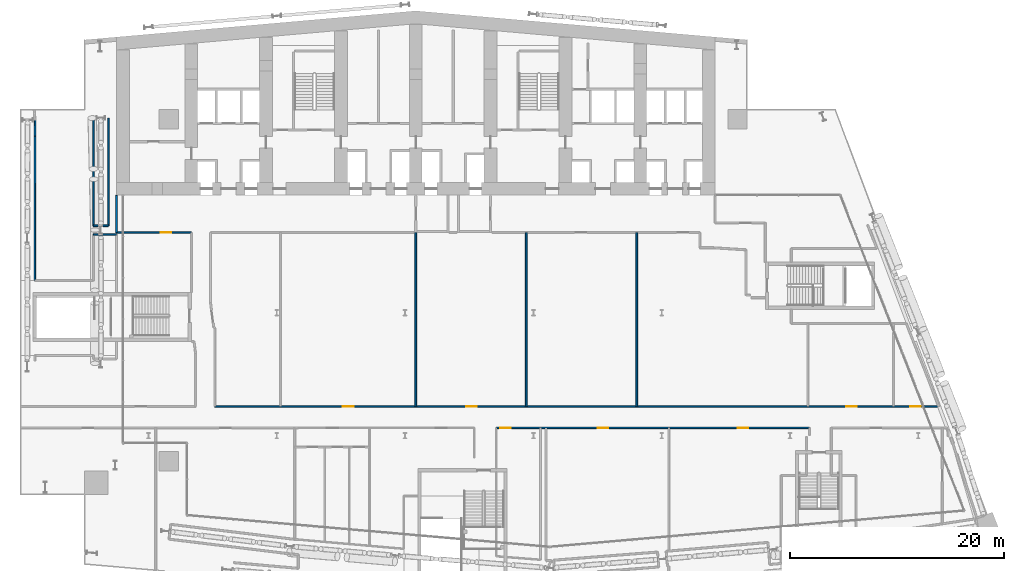
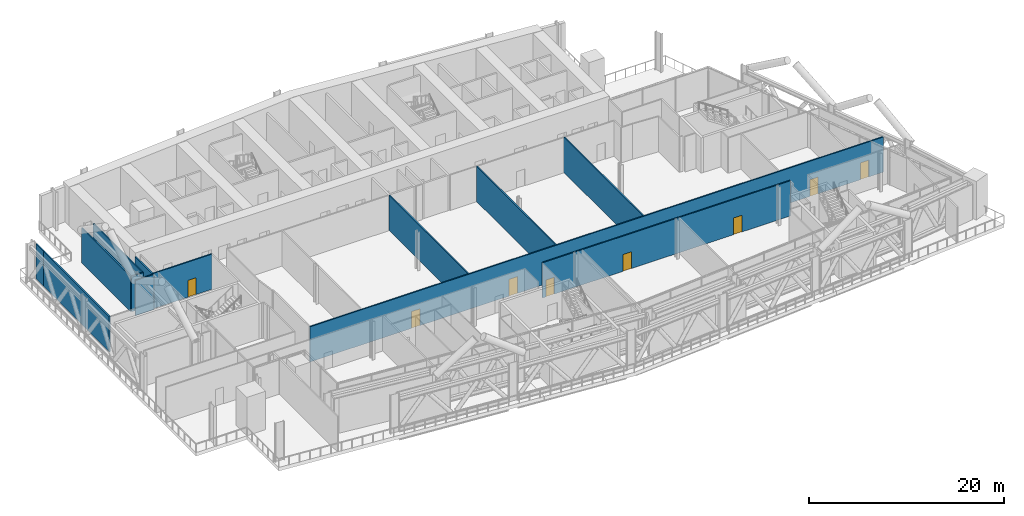
# One storey, part 18 of 39: 13 walls, 8 doors, 8 openings.
"""IFC4 building model written with IfcOpenShell, lengths in metres."""

from ifc_helpers import new_model, si_unit, direction, frame, frame_2d, origin, place, context, subcontext, project, spatial, rectangle, extrude, material, layer, layer_set, type_object, element, fill, save


model = new_model("IFC4")

# Units and contexts
model_context = context("Model", 3, precision=1e-05, world=origin(), true_north=direction((0.0, 1.0)))
body_context = subcontext(model_context, "Body", "Model", "MODEL_VIEW")
ifc_project = project(units=[si_unit("LENGTHUNIT", "METRE"), si_unit("AREAUNIT", "SQUARE_METRE"), si_unit("VOLUMEUNIT", "CUBIC_METRE"), si_unit("PLANEANGLEUNIT", "RADIAN"), si_unit("MASSUNIT", "GRAM", prefix="KILO")], contexts=[model_context])

# Site, building, storey
site_placement = place(None, origin())
site = spatial("IfcSite", under=ifc_project, at=site_placement, CompositionType="ELEMENT")
building_placement = place(site_placement, origin())
building = spatial("IfcBuilding", under=site, at=building_placement, Name="Wharfspan Tower", CompositionType="ELEMENT")
storey_placement = place(building_placement, frame((0.0, 0.0, 91.899902)))
storey = spatial("IfcBuildingStorey", under=building, at=storey_placement, Name="L20", CompositionType="ELEMENT", Elevation=91.899902)

# Walls
ifc_material_1 = material(Name="Gypsum board on steel studs", Category="steel")
ifc_layer = layer(ifc_material_1, 0.149902)
ifc_layer_set = layer_set([ifc_layer], Name="Gypsum board on steel studs")
wall_type = type_object("IfcWallType", Name="Plant room wall 150 EI 120", PredefinedType="PARTITIONING", material=ifc_layer_set)
wall_1_placement = place(storey_placement, frame((1.360107, 26.0, 0.0), z_axis=(0.0, 0.0, 1.0), x_axis=(0.001463, 0.999995, 0.0)))
element("IfcWall", 1, at=wall_1_placement, inside=storey, type_object=wall_type, Name="Partition L20.w005", PredefinedType="PARTITIONING", context=body_context, shape_type="SweptSolid", body=[
    extrude(rectangle(XDim=13.514893, YDim=0.149902, at=frame_2d((6.757324, 0.0))), origin(), (0.0, 0.0, 1.0), 4.400146),
])
wall_2_placement = place(storey_placement, frame((1.379883, 39.514893, 0.0), z_axis=(0.0, 0.0, 1.0), x_axis=(0.003406, 0.99999, 0.0)))
element("IfcWall", 2, at=wall_2_placement, inside=storey, type_object=wall_type, Name="Partition L20.w007", PredefinedType="PARTITIONING", context=body_context, shape_type="SweptSolid", body=[
    extrude(rectangle(XDim=1.505127, YDim=0.149902, at=frame_2d((0.752441, 0.0))), origin(), (0.0, 0.0, 1.0), 4.400146),
])
wall_3_placement = place(storey_placement, frame((6.840088, 30.324951, 0.0), z_axis=(0.0, 0.0, 1.0), x_axis=(1.0, 0.0, 0.0)))
element("IfcWall", 3, at=wall_3_placement, inside=storey, type_object=wall_type, Name="Partition L20.w012", PredefinedType="PARTITIONING", context=body_context, shape_type="SweptSolid", body=[
    extrude(rectangle(XDim=2.159912, YDim=0.149902, at=frame_2d((1.080078, 0.0))), origin(), (0.0, 0.0, 1.0), 4.400146),
])
wall_4_placement = place(storey_placement, frame((6.840088, 31.139893, 0.0), z_axis=(0.0, 0.0, 1.0), x_axis=(0.0, 1.0, 0.0)))
element("IfcWall", 4, at=wall_4_placement, inside=storey, type_object=wall_type, Name="Partition L20.w013", PredefinedType="PARTITIONING", context=body_context, shape_type="SweptSolid", body=[
    extrude(rectangle(XDim=10.064697, YDim=0.149902, at=frame_2d((5.032227, 0.0))), origin(), (0.0, 0.0, 1.0), 4.400146),
])
wall_5_placement = place(storey_placement, frame((6.840088, 31.139893, 0.0), z_axis=(0.0, 0.0, 1.0), x_axis=(1.0, 0.0, 0.0)))
element("IfcWall", 5, at=wall_5_placement, inside=storey, type_object=wall_type, Name="Partition L20.w014", PredefinedType="PARTITIONING", context=body_context, shape_type="SweptSolid", body=[
    extrude(rectangle(XDim=1.399902, YDim=0.149902, at=frame_2d((0.699951, 0.0))), origin(), (0.0, 0.0, 1.0), 4.400146),
])
wall_6_placement = place(storey_placement, frame((8.23999, 31.139893, 0.0), z_axis=(0.0, 0.0, 1.0), x_axis=(0.0, 1.0, 0.0)))
element("IfcWall", 6, at=wall_6_placement, inside=storey, type_object=wall_type, Name="Partition L20.w015", PredefinedType="PARTITIONING", context=body_context, shape_type="SweptSolid", body=[
    extrude(rectangle(XDim=10.060791, YDim=0.149902, at=frame_2d((5.030273, 0.0))), origin(), (0.0, 0.0, 1.0), 4.400146),
])
wall_7_placement = place(storey_placement, frame((9.0, 30.5, 0.0), z_axis=(0.0, 0.0, 1.0), x_axis=(0.0, 1.0, 0.0)))
element("IfcWall", 7, at=wall_7_placement, inside=storey, type_object=wall_type, Name="Partition L20.w018", PredefinedType="PARTITIONING", context=body_context, shape_type="SweptSolid", body=[
    extrude(rectangle(XDim=3.47998, YDim=0.149902, at=frame_2d((1.73999, 0.0))), origin(), (0.0, 0.0, 1.0), 4.400146),
])

# Wall, opening, door
wall_8_placement = place(storey_placement, frame((9.0, 30.5, 0.0), z_axis=(0.0, 0.0, 1.0), x_axis=(1.0, 0.0, 0.0)))
wall_8 = element("IfcWall", 8, at=wall_8_placement, inside=storey, type_object=wall_type, Name="Partition L20.w019", PredefinedType="PARTITIONING", context=body_context, shape_type="SweptSolid", body=[
    extrude(rectangle(XDim=7.0, YDim=0.149902, at=frame_2d((3.5, 0.0))), origin(), (0.0, 0.0, 1.0), 4.400146),
])
opening_1_placement = place(wall_8_placement, frame((4.120117, 0.0, 0.0)))
opening_1 = element("IfcOpeningElement", 9, at=opening_1_placement, cuts=wall_8, Name="Opening BA-19", PredefinedType="OPENING", context=body_context, shape_type="SweptSolid", body=[
    extrude(rectangle(XDim=1.0, YDim=2.100098, at=frame_2d((0.5, 1.050049))), frame((0.0, 0.084961, 0.0), z_axis=(0.0, -1.0, 0.0), x_axis=(1.0, 0.0, 0.0)), (0.0, 0.0, 1.0), 0.169922),
])
ifc_material_2 = material(Name="Fire-rated timber door leaf in steel frame", Category="steel")
door_type_1 = type_object("IfcDoorType", Name="Door 1000 FD60 Right", OperationType="SINGLE_SWING_RIGHT", PredefinedType="DOOR", material=ifc_material_2)
door_1_placement = place(opening_1_placement, origin())
door_1 = element("IfcDoor", 10, at=door_1_placement, inside=storey, type_object=door_type_1, Name="Door BA-19", OperationType="SINGLE_SWING_RIGHT", OverallHeight=2.100098, OverallWidth=1.0, PredefinedType="DOOR", context=body_context, shape_type="SweptSolid", body=[
    extrude(rectangle(XDim=1.0, YDim=2.100098, at=frame_2d((0.5, 1.050049))), frame((0.0, 0.024902, 0.0), z_axis=(0.0, -1.0, 0.0), x_axis=(1.0, 0.0, 0.0)), (0.0, 0.0, 1.0), 0.050049),
])
fill(opening_1, door_1)

# Wall, openings, doors
wall_9_placement = place(storey_placement, frame((18.199951, 14.23999, 0.0), z_axis=(0.0, 0.0, 1.0), x_axis=(1.0, 0.0, 0.0)))
wall_9 = element("IfcWall", 11, at=wall_9_placement, inside=storey, type_object=wall_type, Name="Partition L20.w032", PredefinedType="PARTITIONING", context=body_context, shape_type="SweptSolid", body=[
    extrude(rectangle(XDim=67.735107, YDim=0.149902, at=frame_2d((33.867676, 0.0))), origin(), (0.0, 0.0, 1.0), 4.400146),
])
opening_2_placement = place(wall_9_placement, frame((11.97998, 0.0, 0.0)))
opening_2 = element("IfcOpeningElement", 12, at=opening_2_placement, cuts=wall_9, Name="Opening BA-14", PredefinedType="OPENING", context=body_context, shape_type="SweptSolid", body=[
    extrude(rectangle(XDim=1.0, YDim=2.100098, at=frame_2d((0.5, 1.050049))), frame((0.0, 0.084961, 0.0), z_axis=(0.0, -1.0, 0.0), x_axis=(1.0, 0.0, 0.0)), (0.0, 0.0, 1.0), 0.169922),
])
opening_3_placement = place(wall_9_placement, frame((23.514893, 0.0, 0.0)))
opening_3 = element("IfcOpeningElement", 13, at=opening_3_placement, cuts=wall_9, Name="Opening BA-15", PredefinedType="OPENING", context=body_context, shape_type="SweptSolid", body=[
    extrude(rectangle(XDim=1.0, YDim=2.100098, at=frame_2d((0.5, 1.050049))), frame((0.0, 0.084961, 0.0), z_axis=(0.0, -1.0, 0.0), x_axis=(1.0, 0.0, 0.0)), (0.0, 0.0, 1.0), 0.169922),
])
opening_4_placement = place(wall_9_placement, frame((59.044922, 0.0, 0.0)))
opening_4 = element("IfcOpeningElement", 14, at=opening_4_placement, cuts=wall_9, Name="Opening BA-16", PredefinedType="OPENING", context=body_context, shape_type="SweptSolid", body=[
    extrude(rectangle(XDim=1.0, YDim=2.100098, at=frame_2d((0.5, 1.050049))), frame((0.0, 0.084961, 0.0), z_axis=(0.0, -1.0, 0.0), x_axis=(1.0, 0.0, 0.0)), (0.0, 0.0, 1.0), 0.169922),
])
opening_5_placement = place(wall_9_placement, frame((65.034912, 0.0, 0.0)))
opening_5 = element("IfcOpeningElement", 15, at=opening_5_placement, cuts=wall_9, Name="Opening BA-17", PredefinedType="OPENING", context=body_context, shape_type="SweptSolid", body=[
    extrude(rectangle(XDim=1.0, YDim=2.100098, at=frame_2d((0.5, 1.050049))), frame((0.0, 0.084961, 0.0), z_axis=(0.0, -1.0, 0.0), x_axis=(1.0, 0.0, 0.0)), (0.0, 0.0, 1.0), 0.169922),
])
door_type_2 = type_object("IfcDoorType", Name="Door 1000 FD60 Left", OperationType="SINGLE_SWING_LEFT", PredefinedType="DOOR", material=ifc_material_2)
door_2_placement = place(opening_2_placement, origin())
door_2 = element("IfcDoor", 16, at=door_2_placement, inside=storey, type_object=door_type_2, Name="Door BA-14", OperationType="SINGLE_SWING_LEFT", OverallHeight=2.100098, OverallWidth=1.0, PredefinedType="DOOR", context=body_context, shape_type="SweptSolid", body=[
    extrude(rectangle(XDim=1.0, YDim=2.100098, at=frame_2d((0.5, 1.050049))), frame((0.0, 0.024902, 0.0), z_axis=(0.0, -1.0, 0.0), x_axis=(1.0, 0.0, 0.0)), (0.0, 0.0, 1.0), 0.050049),
])
fill(opening_2, door_2)
door_3_placement = place(opening_3_placement, origin())
door_3 = element("IfcDoor", 17, at=door_3_placement, inside=storey, type_object=door_type_2, Name="Door BA-15", OperationType="SINGLE_SWING_LEFT", OverallHeight=2.100098, OverallWidth=1.0, PredefinedType="DOOR", context=body_context, shape_type="SweptSolid", body=[
    extrude(rectangle(XDim=1.0, YDim=2.100098, at=frame_2d((0.5, 1.050049))), frame((0.0, 0.024902, 0.0), z_axis=(0.0, -1.0, 0.0), x_axis=(1.0, 0.0, 0.0)), (0.0, 0.0, 1.0), 0.050049),
])
fill(opening_3, door_3)
door_4_placement = place(opening_4_placement, origin())
door_4 = element("IfcDoor", 18, at=door_4_placement, inside=storey, type_object=door_type_1, Name="Door BA-16", OperationType="SINGLE_SWING_RIGHT", OverallHeight=2.100098, OverallWidth=1.0, PredefinedType="DOOR", context=body_context, shape_type="SweptSolid", body=[
    extrude(rectangle(XDim=1.0, YDim=2.100098, at=frame_2d((0.5, 1.050049))), frame((0.0, 0.024902, 0.0), z_axis=(0.0, -1.0, 0.0), x_axis=(1.0, 0.0, 0.0)), (0.0, 0.0, 1.0), 0.050049),
])
fill(opening_4, door_4)
door_5_placement = place(opening_5_placement, origin())
door_5 = element("IfcDoor", 19, at=door_5_placement, inside=storey, type_object=door_type_1, Name="Door BA-17", OperationType="SINGLE_SWING_RIGHT", OverallHeight=2.100098, OverallWidth=1.0, PredefinedType="DOOR", context=body_context, shape_type="SweptSolid", body=[
    extrude(rectangle(XDim=1.0, YDim=2.100098, at=frame_2d((0.5, 1.050049))), frame((0.0, 0.024902, 0.0), z_axis=(0.0, -1.0, 0.0), x_axis=(1.0, 0.0, 0.0)), (0.0, 0.0, 1.0), 0.050049),
])
fill(opening_5, door_5)

# Wall
wall_10_placement = place(storey_placement, frame((37.0, 14.23999, 0.0), z_axis=(0.0, 0.0, 1.0), x_axis=(0.0, 1.0, 0.0)))
element("IfcWall", 20, at=wall_10_placement, inside=storey, type_object=wall_type, Name="Partition L20.w060", PredefinedType="PARTITIONING", context=body_context, shape_type="SweptSolid", body=[
    extrude(rectangle(XDim=16.26001, YDim=0.149902, at=frame_2d((8.129883, 0.0))), origin(), (0.0, 0.0, 1.0), 4.400146),
])

# Wall, openings, doors
wall_11_placement = place(storey_placement, frame((44.51001, 12.235107, 0.0), z_axis=(0.0, 0.0, 1.0), x_axis=(1.0, 0.0, 0.0)))
wall_11 = element("IfcWall", 21, at=wall_11_placement, inside=storey, type_object=wall_type, Name="Partition L20.w063", PredefinedType="PARTITIONING", context=body_context, shape_type="SweptSolid", body=[
    extrude(rectangle(XDim=29.304932, YDim=0.149902, at=frame_2d((14.652344, 0.0))), origin(), (0.0, 0.0, 1.0), 4.400146),
])
opening_6_placement = place(wall_11_placement, frame((0.38501, 0.0, 0.0)))
opening_6 = element("IfcOpeningElement", 22, at=opening_6_placement, cuts=wall_11, Name="Opening BA-09", PredefinedType="OPENING", context=body_context, shape_type="SweptSolid", body=[
    extrude(rectangle(XDim=1.0, YDim=2.100098, at=frame_2d((0.5, 1.050049))), frame((0.0, 0.084961, 0.0), z_axis=(0.0, -1.0, 0.0), x_axis=(1.0, 0.0, 0.0)), (0.0, 0.0, 1.0), 0.169922),
])
opening_7_placement = place(wall_11_placement, frame((9.513428, 0.0, 0.0)))
opening_7 = element("IfcOpeningElement", 23, at=opening_7_placement, cuts=wall_11, Name="Opening BA-10", PredefinedType="OPENING", context=body_context, shape_type="SweptSolid", body=[
    extrude(rectangle(XDim=1.0, YDim=2.100098, at=frame_2d((0.5, 1.050049))), frame((0.0, 0.084961, 0.0), z_axis=(0.0, -1.0, 0.0), x_axis=(1.0, 0.0, 0.0)), (0.0, 0.0, 1.0), 0.169922),
])
opening_8_placement = place(wall_11_placement, frame((22.584961, 0.0, 0.0)))
opening_8 = element("IfcOpeningElement", 24, at=opening_8_placement, cuts=wall_11, Name="Opening BA-11", PredefinedType="OPENING", context=body_context, shape_type="SweptSolid", body=[
    extrude(rectangle(XDim=1.0, YDim=2.100098, at=frame_2d((0.5, 1.050049))), frame((0.0, 0.084961, 0.0), z_axis=(0.0, -1.0, 0.0), x_axis=(1.0, 0.0, 0.0)), (0.0, 0.0, 1.0), 0.169922),
])
door_type_3 = type_object("IfcDoorType", Name="Door 1000 FD30S Left", OperationType="SINGLE_SWING_LEFT", PredefinedType="DOOR", material=ifc_material_2)
door_6_placement = place(opening_6_placement, origin())
door_6 = element("IfcDoor", 25, at=door_6_placement, inside=storey, type_object=door_type_3, Name="Door BA-09", OperationType="SINGLE_SWING_LEFT", OverallHeight=2.100098, OverallWidth=1.0, PredefinedType="DOOR", context=body_context, shape_type="SweptSolid", body=[
    extrude(rectangle(XDim=1.0, YDim=2.100098, at=frame_2d((0.5, 1.050049))), frame((0.0, 0.024902, 0.0), z_axis=(0.0, -1.0, 0.0), x_axis=(1.0, 0.0, 0.0)), (0.0, 0.0, 1.0), 0.050049),
])
fill(opening_6, door_6)
door_7_placement = place(opening_7_placement, origin())
door_7 = element("IfcDoor", 26, at=door_7_placement, inside=storey, type_object=door_type_2, Name="Door BA-10", OperationType="SINGLE_SWING_LEFT", OverallHeight=2.100098, OverallWidth=1.0, PredefinedType="DOOR", context=body_context, shape_type="SweptSolid", body=[
    extrude(rectangle(XDim=1.0, YDim=2.100098, at=frame_2d((0.5, 1.050049))), frame((0.0, 0.024902, 0.0), z_axis=(0.0, -1.0, 0.0), x_axis=(1.0, 0.0, 0.0)), (0.0, 0.0, 1.0), 0.050049),
])
fill(opening_7, door_7)
door_8_placement = place(opening_8_placement, origin())
door_8 = element("IfcDoor", 27, at=door_8_placement, inside=storey, type_object=door_type_1, Name="Door BA-11", OperationType="SINGLE_SWING_RIGHT", OverallHeight=2.100098, OverallWidth=1.0, PredefinedType="DOOR", context=body_context, shape_type="SweptSolid", body=[
    extrude(rectangle(XDim=1.0, YDim=2.100098, at=frame_2d((0.5, 1.050049))), frame((0.0, 0.024902, 0.0), z_axis=(0.0, -1.0, 0.0), x_axis=(1.0, 0.0, 0.0)), (0.0, 0.0, 1.0), 0.050049),
])
fill(opening_8, door_8)

# Walls
for number, where, z_axis, x_axis, name in (
    (28, (47.334961, 14.23999, 0.0), (0.0, 0.0, 1.0), (0.0, 1.0, 0.0), "Partition L20.w066"),
    (29, (57.669922, 14.23999, 0.0), (0.0, 0.0, 1.0), (0.0, 1.0, 0.0), "Partition L20.w078"),
):
    element("IfcWall", number, at=place(storey_placement, frame(where, z_axis=z_axis, x_axis=x_axis)), inside=storey, type_object=wall_type, Name=name, PredefinedType="PARTITIONING", context=body_context, shape_type="SweptSolid", body=[
        extrude(rectangle(XDim=16.26001, YDim=0.149902, at=frame_2d((8.129883, 0.0))), origin(), (0.0, 0.0, 1.0), 4.400146),
    ])

save(model, "model.ifc")
